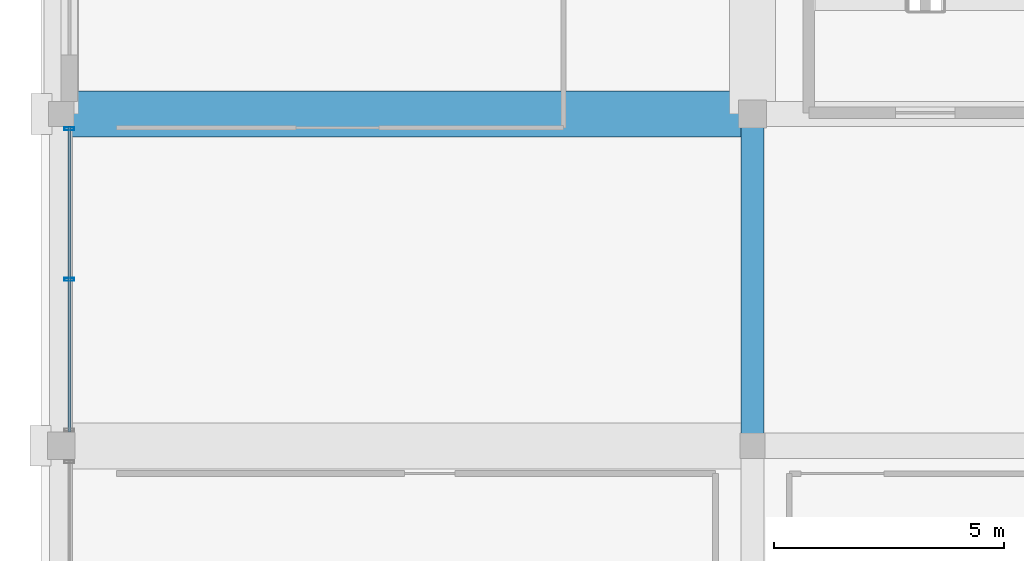
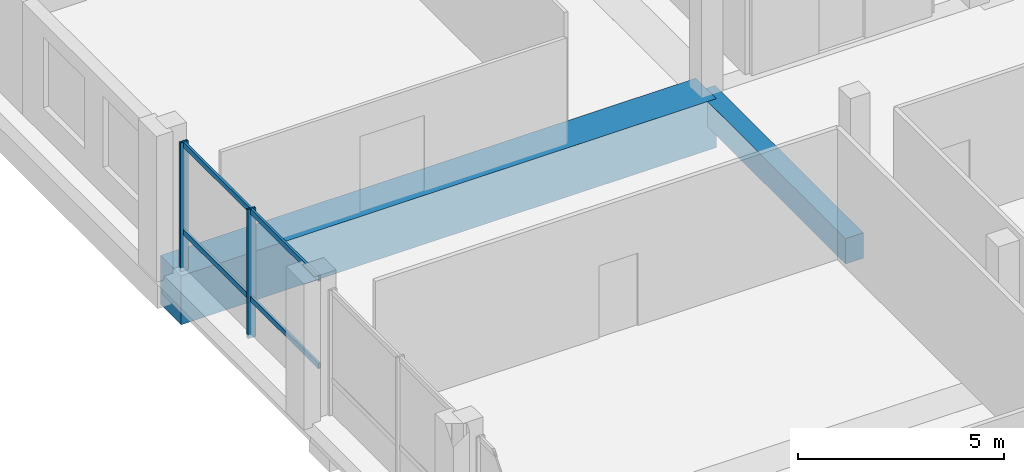
# One storey, part 28 of 68: 4 members, 2 beams, 1 element without a shape of its own.
"""IFC4 building model written with IfcOpenShell, lengths in metres."""

import ifcopenshell
import ifcopenshell.guid

model = None  # the IFC model being written
_history = None  # IfcOwnerHistory: only IFC2X3 demands one
_inside = {}  # id of a spatial element -> (the spatial element, [elements in it])
_under = {}  # id of a project, library or spatial element -> (it, [spatial elements below it])
_declared = {}  # id of a project -> (the project, [libraries it declares])
_typed = {}  # id of a type object -> (the type object, [elements of that type])
_made_of = {}  # id of a material, layer set ... -> (it, [elements and type objects made of it])


def new_model(schema):
    """Start an empty IFC model of exactly this schema.

    Asked for "IFC4X3", IfcOpenShell would pick the latest addendum, in which some entities
    have other attributes; the version numbers below select the first issue.
    IFC2X3 requires an IfcOwnerHistory on every rooted entity: one is made here for all.
    """
    global model, _history
    if schema == "IFC4X3":
        model = ifcopenshell.file(schema_version=(4, 3, 0, 0))
    else:
        model = ifcopenshell.file(schema=schema)
    _inside.clear()
    _under.clear()
    _declared.clear()
    _typed.clear()
    _made_of.clear()
    _history = None
    if model.schema == "IFC2X3":
        org = make("IfcOrganization", Name="unknown")
        user = make(
            "IfcPersonAndOrganization",
            ThePerson=make("IfcPerson", FamilyName="unknown"),
            TheOrganization=org,
        )
        app = make(
            "IfcApplication",
            ApplicationDeveloper=org,
            Version="unknown",
            ApplicationFullName="unknown",
            ApplicationIdentifier="unknown",
        )
        _history = make(
            "IfcOwnerHistory",
            OwningUser=user,
            OwningApplication=app,
            ChangeAction="ADDED",
            CreationDate=0,
        )
    return model


def make(cls, **values):
    """One entity of the class cls with the attributes given. An attribute that is None is left unset."""
    return model.create_entity(
        cls, **{name: value for name, value in values.items() if value is not None}
    )


def rooted(cls, **values):
    """An entity with a GlobalId (a new one), such as an element, a storey or a relation."""
    return make(cls, GlobalId=ifcopenshell.guid.new(), OwnerHistory=_history, **values)


def si_unit(unit_type, name, prefix=None):
    """IfcSIUnit, for example si_unit("LENGTHUNIT", "METRE", prefix="MILLI")."""
    return make("IfcSIUnit", UnitType=unit_type, Prefix=prefix, Name=name)


def assignment(units):
    """IfcUnitAssignment: the units of a project."""
    return None if units is None else make("IfcUnitAssignment", Units=units)


def point(xyz):
    """IfcCartesianPoint."""
    return None if xyz is None else make("IfcCartesianPoint", Coordinates=xyz)


def direction(xyz):
    """IfcDirection."""
    return None if xyz is None else make("IfcDirection", DirectionRatios=xyz)


def frame(location, z_axis=None, x_axis=None):
    """IfcAxis2Placement3D, a coordinate frame: its origin and axes. An axis left out is left unset."""
    return make(
        "IfcAxis2Placement3D",
        Location=point(location),
        Axis=direction(z_axis),
        RefDirection=direction(x_axis),
    )


def frame_2d(location, x_axis=None):
    """IfcAxis2Placement2D, a coordinate frame in the plane: its origin and x axis."""
    return make(
        "IfcAxis2Placement2D", Location=point(location), RefDirection=direction(x_axis)
    )


def origin():
    """The frame at (0, 0, 0) with its axes left unset."""
    return frame((0.0, 0.0, 0.0))


def origin_2d():
    """The frame at (0, 0) in the plane with its x axis left unset."""
    return frame_2d((0.0, 0.0))


def place(relative_to, where):
    """IfcLocalPlacement: puts the frame where relative to a parent placement (None: the world)."""
    return make(
        "IfcLocalPlacement", PlacementRelTo=relative_to, RelativePlacement=where
    )


def context(
    kind, dimensions, precision=None, world=None, true_north=None, identifier=None
):
    """IfcGeometricRepresentationContext, for example the 3D "Model" context."""
    return make(
        "IfcGeometricRepresentationContext",
        ContextIdentifier=identifier,
        ContextType=kind,
        CoordinateSpaceDimension=dimensions,
        Precision=precision,
        WorldCoordinateSystem=world,
        TrueNorth=true_north,
    )


def subcontext(parent, identifier, kind, view, scale=None):
    """IfcGeometricRepresentationSubContext, for example "Body" below "Model"."""
    return make(
        "IfcGeometricRepresentationSubContext",
        ContextIdentifier=identifier,
        ContextType=kind,
        ParentContext=parent,
        TargetScale=scale,
        TargetView=view,
    )


def project(units=None, contexts=None):
    """IfcProject with its units and contexts."""
    return rooted(
        "IfcProject",
        Name="project",
        RepresentationContexts=contexts,
        UnitsInContext=assignment(units),
    )


def spatial(cls, under=None, at=None, **own):
    """A site, building, storey or space (cls), placed at a placement, below another one or the project."""
    s = rooted(cls, ObjectPlacement=at, **own)
    if under is not None:
        _under.setdefault(under.id(), (under, []))[1].append(s)
    return s


def profile(cls, at=None, kind="AREA", **sizes):
    """A parametric profile (cls). Its sizes go by their IFC names, for example OverallWidth=200.0."""
    return make(cls, ProfileType=kind, Position=at, **sizes)


def rectangle(**sizes):
    """IfcRectangleProfileDef."""
    return profile("IfcRectangleProfileDef", **sizes)


def hollow_rectangle(**sizes):
    """IfcRectangleHollowProfileDef."""
    return profile("IfcRectangleHollowProfileDef", **sizes)


def extrude(swept, where, along, depth):
    """IfcExtrudedAreaSolid: the profile swept, set in the frame where, extruded along a direction by depth."""
    return make(
        "IfcExtrudedAreaSolid",
        SweptArea=swept,
        Position=where,
        ExtrudedDirection=direction(along),
        Depth=depth,
    )


def shape(context_of_items, identifier, shape_type, items):
    """IfcShapeRepresentation: the items that make up one representation, for example the "Body"."""
    return make(
        "IfcShapeRepresentation",
        ContextOfItems=context_of_items,
        RepresentationIdentifier=identifier,
        RepresentationType=shape_type,
        Items=items,
    )


def material(Name=None, Category=None):
    """IfcMaterial."""
    return make("IfcMaterial", Name=Name, Category=Category)


def material_profile(
    of_material, cross_section, Name=None, Category=None, Priority=None
):
    """IfcMaterialProfile: a cross section and its material."""
    return make(
        "IfcMaterialProfile",
        Name=Name,
        Material=of_material,
        Profile=cross_section,
        Priority=Priority,
        Category=Category,
    )


def profile_set(profiles, Name=None, composite=None):
    """IfcMaterialProfileSet."""
    return make(
        "IfcMaterialProfileSet",
        Name=Name,
        MaterialProfiles=profiles,
        CompositeProfile=composite,
    )


def made_of(thing, what):
    """Note that an element or type object is made of a material, layer set ...; save() writes the relation."""
    if what is not None:
        _made_of.setdefault(what.id(), (what, []))[1].append(thing)
    return thing


def type_object(cls, material=None, **own):
    """A type object (cls), such as IfcWallType, which elements share."""
    return made_of(rooted(cls, **own), material)


def element(
    cls,
    number,
    at=None,
    inside=None,
    cuts=None,
    type_object=None,
    material=None,
    context=None,
    identifier="Body",
    shape_type=None,
    held_by="IfcProductDefinitionShape",
    body=None,
    shapes=None,
    **own,
):
    """One element of the class cls, such as IfcWall. Its Tag is "e" and its number.

    at: its placement. inside: the storey or other place that contains it. cuts: it is an
    opening in that element (IfcRelVoidsElement). A single representation is given by context,
    identifier, shape_type and body (its items); several are given by shapes. held_by: the class
    of the entity that holds the representations. save() writes the other relations.
    """
    e = rooted(cls, Tag="e%d" % number, ObjectPlacement=at, **own)
    if body is not None:
        shapes = [shape(context, identifier, shape_type, body)]
    if shapes is not None:
        e.Representation = make(held_by, Representations=shapes)
    if inside is not None:
        _inside.setdefault(inside.id(), (inside, []))[1].append(e)
    if cuts is not None:
        rooted(
            "IfcRelVoidsElement", RelatingBuildingElement=cuts, RelatedOpeningElement=e
        )
    if type_object is not None:
        _typed.setdefault(type_object.id(), (type_object, []))[1].append(e)
    return made_of(e, material)


def aggregate(whole, parts):
    """IfcRelAggregates: a whole, such as a stair, and the parts it consists of."""
    return rooted("IfcRelAggregates", RelatingObject=whole, RelatedObjects=parts)


def save(model, path):
    """Write the relations noted so far, then the file.

    IfcRelAggregates (storeys below a building ...), IfcRelContainedInSpatialStructure (elements
    in a storey), IfcRelDefinesByType, IfcRelAssociatesMaterial and IfcRelDeclares: one each for
    every whole, place, type object, material and project.
    """
    for whole, parts in _under.values():
        aggregate(whole, parts)
    for where, things in _inside.values():
        rooted(
            "IfcRelContainedInSpatialStructure",
            RelatedElements=things,
            RelatingStructure=where,
        )
    for kind, things in _typed.values():
        rooted("IfcRelDefinesByType", RelatedObjects=things, RelatingType=kind)
    for what, things in _made_of.values():
        rooted("IfcRelAssociatesMaterial", RelatedObjects=things, RelatingMaterial=what)
    for by, libraries in _declared.values():
        rooted("IfcRelDeclares", RelatingContext=by, RelatedDefinitions=libraries)
    model.write(path)


model = new_model("IFC4")

# Units and contexts
model_context = context("Model", 3, precision=1e-05, world=origin(), true_north=direction((0.0, 1.0)))
body_context = subcontext(model_context, "Body", "Model", "MODEL_VIEW")
ifc_project = project(units=[si_unit("LENGTHUNIT", "METRE"), si_unit("AREAUNIT", "SQUARE_METRE"), si_unit("VOLUMEUNIT", "CUBIC_METRE"), si_unit("PLANEANGLEUNIT", "RADIAN"), si_unit("MASSUNIT", "GRAM", prefix="KILO")], contexts=[model_context])

# Site, building, storey
site_placement = place(None, origin())
site = spatial("IfcSite", under=ifc_project, at=site_placement, CompositionType="ELEMENT")
building_placement = place(site_placement, origin())
building = spatial("IfcBuilding", under=site, at=building_placement, Name="Akrevak Sports Hall", CompositionType="ELEMENT")
storey_placement = place(building_placement, frame((0.0, 0.0, 9.39990234375)))
storey = spatial("IfcBuildingStorey", under=building, at=storey_placement, Name="L02", CompositionType="ELEMENT", Elevation=9.39990234375)

# Curtain wall, members
ifc_material_1 = material(Name="Anodized Bronze Aluminium & Low-E Glass", Category="aluminium")
curtain_wall_type = type_object("IfcCurtainWallType", Name="ARC-CW-POD-64x42", PredefinedType="NOTDEFINED", material=ifc_material_1)
curtain_wall_placement = place(storey_placement, origin())
curtain_wall = element("IfcCurtainWall", 1, at=curtain_wall_placement, inside=storey, type_object=curtain_wall_type, Name="Curtain Wall CW-L02-W08", PredefinedType="NOTDEFINED")
ifc_material_2 = material(Name="Anodized Bronze Aluminium", Category="aluminium")
ifc_material_profile_1 = material_profile(ifc_material_2, hollow_rectangle(XDim=0.06494140625, YDim=0.219970703125, WallThickness=0.00439453125, at=origin_2d()), Name="CWM 65x220", Category="aluminium")
ifc_profile_set_1 = profile_set([ifc_material_profile_1], Name="Anodized Bronze Aluminium")
member_type_1 = type_object("IfcMemberType", Name="ARC-CWM-70x160", PredefinedType="MULLION", material=ifc_profile_set_1)
member_1_placement = place(storey_placement, frame((0.179931640625, 69.284912109375, 0.0), z_axis=(0.0, 0.0, 1.0), x_axis=(0.0, -1.0, 0.0)))
member_1 = element("IfcMember", 2, at=member_1_placement, type_object=member_type_1, Name="Curtain Wall Mullion CW-L02-W08-M1", PredefinedType="MULLION", context=body_context, shape_type="SweptSolid", body=[
    extrude(hollow_rectangle(XDim=0.06494140625, YDim=0.219970703125, WallThickness=0.00439453125, at=origin_2d()), origin(), (0.0, 0.0, 1.0), 3.820068359375),
])
member_2_placement = place(storey_placement, frame((0.179931640625, 66.012451171875, 0.0), z_axis=(0.0, 0.0, 1.0), x_axis=(0.0, -1.0, 0.0)))
member_2 = element("IfcMember", 3, at=member_2_placement, type_object=member_type_1, Name="Curtain Wall Mullion CW-L02-W08-M2", PredefinedType="MULLION", context=body_context, shape_type="SweptSolid", body=[
    extrude(hollow_rectangle(XDim=0.06494140625, YDim=0.219970703125, WallThickness=0.00439453125, at=origin_2d()), origin(), (0.0, 0.0, 1.0), 3.820068359375),
])
ifc_material_profile_2 = material_profile(ifc_material_2, hollow_rectangle(XDim=0.06494140625, YDim=0.159912109375, WallThickness=0.00390625, at=origin_2d()), Name="CWT 65x160", Category="aluminium")
ifc_profile_set_2 = profile_set([ifc_material_profile_2], Name="Anodized Bronze Aluminium")
member_type_2 = type_object("IfcMemberType", Name="ARC-CWT-70x130", PredefinedType="USERDEFINED", material=ifc_profile_set_2)
member_3_placement = place(storey_placement, frame((0.179931640625, 69.324951171875, 1.150146484375), z_axis=(0.0, -1.0, 0.0), x_axis=(1.0, 0.0, 0.0)))
member_3 = element("IfcMember", 4, at=member_3_placement, type_object=member_type_2, Name="Curtain Wall Transom CW-L02-W08-T1", ObjectType="TRANSOM", PredefinedType="USERDEFINED", context=body_context, shape_type="SweptSolid", body=[
    extrude(hollow_rectangle(XDim=0.06494140625, YDim=0.159912109375, WallThickness=0.00390625, at=origin_2d()), origin(), (0.0, 0.0, 1.0), 6.625),
])
member_4_placement = place(storey_placement, frame((0.179931640625, 69.324951171875, 3.739990234375), z_axis=(0.0, -1.0, 0.0), x_axis=(1.0, 0.0, 0.0)))
member_4 = element("IfcMember", 5, at=member_4_placement, type_object=member_type_2, Name="Curtain Wall Transom CW-L02-W08-T2", ObjectType="TRANSOM", PredefinedType="USERDEFINED", context=body_context, shape_type="SweptSolid", body=[
    extrude(hollow_rectangle(XDim=0.06494140625, YDim=0.159912109375, WallThickness=0.00390625, at=origin_2d()), origin(), (0.0, 0.0, 1.0), 6.625),
])
aggregate(curtain_wall, [member_1, member_2, member_3, member_4])

# Beams
ifc_material_3 = material(Name="Concrete C50/60", Category="concrete")
ifc_material_profile_3 = material_profile(ifc_material_3, rectangle(XDim=1.0, YDim=1.449951171875, at=origin_2d()), Name="BM 1000x1450", Category="concrete")
ifc_profile_set_3 = profile_set([ifc_material_profile_3], Name="Concrete C50/60")
beam_type_1 = type_object("IfcBeamType", Name="STR-BM-LG1000x1450", PredefinedType="BEAM", material=ifc_profile_set_3)
beam_1_placement = place(storey_placement, frame((0.0, 69.60009765625, -0.724853515625), z_axis=(1.0, 0.0, 0.0), x_axis=(0.0, 1.0, 0.0)))
element("IfcBeam", 6, at=beam_1_placement, inside=storey, type_object=beam_type_1, Name="Girder K/1-3 (L02)", PredefinedType="BEAM", context=body_context, shape_type="SweptSolid", body=[
    extrude(rectangle(XDim=1.0, YDim=1.449951171875, at=origin_2d()), origin(), (0.0, 0.0, 1.0), 15.0),
])
ifc_material_4 = material(Name="Concrete C40/50", Category="concrete")
ifc_material_profile_4 = material_profile(ifc_material_4, rectangle(XDim=0.5, YDim=0.75, at=origin_2d()), Name="BM 500x750", Category="concrete")
ifc_profile_set_4 = profile_set([ifc_material_profile_4], Name="Concrete C40/50")
beam_type_2 = type_object("IfcBeamType", Name="STR-BM-RC500x750", PredefinedType="BEAM", material=ifc_profile_set_4)
beam_2_placement = place(storey_placement, frame((15.0, 62.39990234375, -0.375), z_axis=(0.0, 1.0, 0.0), x_axis=(-1.0, 0.0, 0.0)))
element("IfcBeam", 7, at=beam_2_placement, inside=storey, type_object=beam_type_2, Name="Girder 3/J-K (L02)", PredefinedType="BEAM", context=body_context, shape_type="SweptSolid", body=[
    extrude(rectangle(XDim=0.5, YDim=0.75, at=origin_2d()), origin(), (0.0, 0.0, 1.0), 7.2001953125),
])

save(model, "model.ifc")
